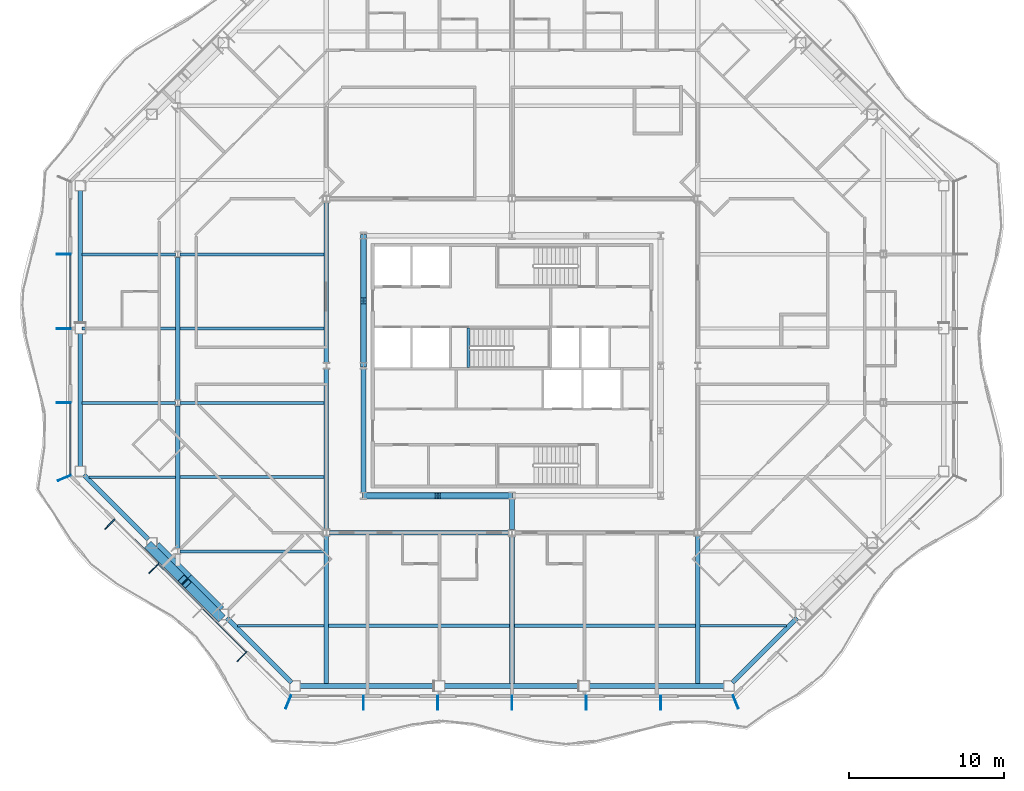
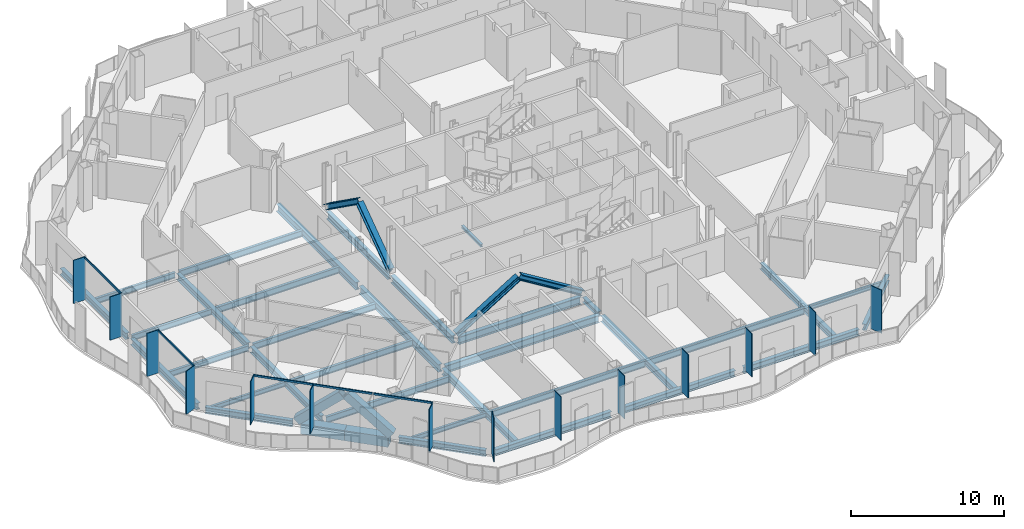
# One storey, part 3 of 21: 36 beams, 25 members, 4 elements without a shape of their own.
"""IFC4 building model written with IfcOpenShell, lengths in metres."""

import ifcopenshell
import ifcopenshell.guid

model = None  # the IFC model being written
_history = None  # IfcOwnerHistory: only IFC2X3 demands one
_inside = {}  # id of a spatial element -> (the spatial element, [elements in it])
_under = {}  # id of a project, library or spatial element -> (it, [spatial elements below it])
_declared = {}  # id of a project -> (the project, [libraries it declares])
_typed = {}  # id of a type object -> (the type object, [elements of that type])
_made_of = {}  # id of a material, layer set ... -> (it, [elements and type objects made of it])


def new_model(schema):
    """Start an empty IFC model of exactly this schema.

    Asked for "IFC4X3", IfcOpenShell would pick the latest addendum, in which some entities
    have other attributes; the version numbers below select the first issue.
    IFC2X3 requires an IfcOwnerHistory on every rooted entity: one is made here for all.
    """
    global model, _history
    if schema == "IFC4X3":
        model = ifcopenshell.file(schema_version=(4, 3, 0, 0))
    else:
        model = ifcopenshell.file(schema=schema)
    _inside.clear()
    _under.clear()
    _declared.clear()
    _typed.clear()
    _made_of.clear()
    _history = None
    if model.schema == "IFC2X3":
        org = make("IfcOrganization", Name="unknown")
        user = make(
            "IfcPersonAndOrganization",
            ThePerson=make("IfcPerson", FamilyName="unknown"),
            TheOrganization=org,
        )
        app = make(
            "IfcApplication",
            ApplicationDeveloper=org,
            Version="unknown",
            ApplicationFullName="unknown",
            ApplicationIdentifier="unknown",
        )
        _history = make(
            "IfcOwnerHistory",
            OwningUser=user,
            OwningApplication=app,
            ChangeAction="ADDED",
            CreationDate=0,
        )
    return model


def make(cls, **values):
    """One entity of the class cls with the attributes given. An attribute that is None is left unset."""
    return model.create_entity(
        cls, **{name: value for name, value in values.items() if value is not None}
    )


def rooted(cls, **values):
    """An entity with a GlobalId (a new one), such as an element, a storey or a relation."""
    return make(cls, GlobalId=ifcopenshell.guid.new(), OwnerHistory=_history, **values)


def si_unit(unit_type, name, prefix=None):
    """IfcSIUnit, for example si_unit("LENGTHUNIT", "METRE", prefix="MILLI")."""
    return make("IfcSIUnit", UnitType=unit_type, Prefix=prefix, Name=name)


def assignment(units):
    """IfcUnitAssignment: the units of a project."""
    return None if units is None else make("IfcUnitAssignment", Units=units)


def point(xyz):
    """IfcCartesianPoint."""
    return None if xyz is None else make("IfcCartesianPoint", Coordinates=xyz)


def direction(xyz):
    """IfcDirection."""
    return None if xyz is None else make("IfcDirection", DirectionRatios=xyz)


def frame(location, z_axis=None, x_axis=None):
    """IfcAxis2Placement3D, a coordinate frame: its origin and axes. An axis left out is left unset."""
    return make(
        "IfcAxis2Placement3D",
        Location=point(location),
        Axis=direction(z_axis),
        RefDirection=direction(x_axis),
    )


def frame_2d(location, x_axis=None):
    """IfcAxis2Placement2D, a coordinate frame in the plane: its origin and x axis."""
    return make(
        "IfcAxis2Placement2D", Location=point(location), RefDirection=direction(x_axis)
    )


def origin():
    """The frame at (0, 0, 0) with its axes left unset."""
    return frame((0.0, 0.0, 0.0))


def origin_2d():
    """The frame at (0, 0) in the plane with its x axis left unset."""
    return frame_2d((0.0, 0.0))


def place(relative_to, where):
    """IfcLocalPlacement: puts the frame where relative to a parent placement (None: the world)."""
    return make(
        "IfcLocalPlacement", PlacementRelTo=relative_to, RelativePlacement=where
    )


def context(
    kind, dimensions, precision=None, world=None, true_north=None, identifier=None
):
    """IfcGeometricRepresentationContext, for example the 3D "Model" context."""
    return make(
        "IfcGeometricRepresentationContext",
        ContextIdentifier=identifier,
        ContextType=kind,
        CoordinateSpaceDimension=dimensions,
        Precision=precision,
        WorldCoordinateSystem=world,
        TrueNorth=true_north,
    )


def subcontext(parent, identifier, kind, view, scale=None):
    """IfcGeometricRepresentationSubContext, for example "Body" below "Model"."""
    return make(
        "IfcGeometricRepresentationSubContext",
        ContextIdentifier=identifier,
        ContextType=kind,
        ParentContext=parent,
        TargetScale=scale,
        TargetView=view,
    )


def project(units=None, contexts=None):
    """IfcProject with its units and contexts."""
    return rooted(
        "IfcProject",
        Name="project",
        RepresentationContexts=contexts,
        UnitsInContext=assignment(units),
    )


def spatial(cls, under=None, at=None, **own):
    """A site, building, storey or space (cls), placed at a placement, below another one or the project."""
    s = rooted(cls, ObjectPlacement=at, **own)
    if under is not None:
        _under.setdefault(under.id(), (under, []))[1].append(s)
    return s


def profile(cls, at=None, kind="AREA", **sizes):
    """A parametric profile (cls). Its sizes go by their IFC names, for example OverallWidth=200.0."""
    return make(cls, ProfileType=kind, Position=at, **sizes)


def rectangle(**sizes):
    """IfcRectangleProfileDef."""
    return profile("IfcRectangleProfileDef", **sizes)


def hollow_rectangle(**sizes):
    """IfcRectangleHollowProfileDef."""
    return profile("IfcRectangleHollowProfileDef", **sizes)


def i_section(**sizes):
    """IfcIShapeProfileDef."""
    return profile("IfcIShapeProfileDef", **sizes)


def extrude(swept, where, along, depth):
    """IfcExtrudedAreaSolid: the profile swept, set in the frame where, extruded along a direction by depth."""
    return make(
        "IfcExtrudedAreaSolid",
        SweptArea=swept,
        Position=where,
        ExtrudedDirection=direction(along),
        Depth=depth,
    )


def shape(context_of_items, identifier, shape_type, items):
    """IfcShapeRepresentation: the items that make up one representation, for example the "Body"."""
    return make(
        "IfcShapeRepresentation",
        ContextOfItems=context_of_items,
        RepresentationIdentifier=identifier,
        RepresentationType=shape_type,
        Items=items,
    )


def material(Name=None, Category=None):
    """IfcMaterial."""
    return make("IfcMaterial", Name=Name, Category=Category)


def material_profile(
    of_material, cross_section, Name=None, Category=None, Priority=None
):
    """IfcMaterialProfile: a cross section and its material."""
    return make(
        "IfcMaterialProfile",
        Name=Name,
        Material=of_material,
        Profile=cross_section,
        Priority=Priority,
        Category=Category,
    )


def profile_set(profiles, Name=None, composite=None):
    """IfcMaterialProfileSet."""
    return make(
        "IfcMaterialProfileSet",
        Name=Name,
        MaterialProfiles=profiles,
        CompositeProfile=composite,
    )


def made_of(thing, what):
    """Note that an element or type object is made of a material, layer set ...; save() writes the relation."""
    if what is not None:
        _made_of.setdefault(what.id(), (what, []))[1].append(thing)
    return thing


def type_object(cls, material=None, **own):
    """A type object (cls), such as IfcWallType, which elements share."""
    return made_of(rooted(cls, **own), material)


def element(
    cls,
    number,
    at=None,
    inside=None,
    cuts=None,
    type_object=None,
    material=None,
    context=None,
    identifier="Body",
    shape_type=None,
    held_by="IfcProductDefinitionShape",
    body=None,
    shapes=None,
    **own,
):
    """One element of the class cls, such as IfcWall. Its Tag is "e" and its number.

    at: its placement. inside: the storey or other place that contains it. cuts: it is an
    opening in that element (IfcRelVoidsElement). A single representation is given by context,
    identifier, shape_type and body (its items); several are given by shapes. held_by: the class
    of the entity that holds the representations. save() writes the other relations.
    """
    e = rooted(cls, Tag="e%d" % number, ObjectPlacement=at, **own)
    if body is not None:
        shapes = [shape(context, identifier, shape_type, body)]
    if shapes is not None:
        e.Representation = make(held_by, Representations=shapes)
    if inside is not None:
        _inside.setdefault(inside.id(), (inside, []))[1].append(e)
    if cuts is not None:
        rooted(
            "IfcRelVoidsElement", RelatingBuildingElement=cuts, RelatedOpeningElement=e
        )
    if type_object is not None:
        _typed.setdefault(type_object.id(), (type_object, []))[1].append(e)
    return made_of(e, material)


def aggregate(whole, parts):
    """IfcRelAggregates: a whole, such as a stair, and the parts it consists of."""
    return rooted("IfcRelAggregates", RelatingObject=whole, RelatedObjects=parts)


def save(model, path):
    """Write the relations noted so far, then the file.

    IfcRelAggregates (storeys below a building ...), IfcRelContainedInSpatialStructure (elements
    in a storey), IfcRelDefinesByType, IfcRelAssociatesMaterial and IfcRelDeclares: one each for
    every whole, place, type object, material and project.
    """
    for whole, parts in _under.values():
        aggregate(whole, parts)
    for where, things in _inside.values():
        rooted(
            "IfcRelContainedInSpatialStructure",
            RelatedElements=things,
            RelatingStructure=where,
        )
    for kind, things in _typed.values():
        rooted("IfcRelDefinesByType", RelatedObjects=things, RelatingType=kind)
    for what, things in _made_of.values():
        rooted("IfcRelAssociatesMaterial", RelatedObjects=things, RelatingMaterial=what)
    for by, libraries in _declared.values():
        rooted("IfcRelDeclares", RelatingContext=by, RelatedDefinitions=libraries)
    model.write(path)


model = new_model("IFC4")

# Units and contexts
model_context = context("Model", 3, precision=1e-05, world=origin(), true_north=direction((0.0, 1.0)))
body_context = subcontext(model_context, "Body", "Model", "MODEL_VIEW")
ifc_project = project(units=[si_unit("LENGTHUNIT", "METRE"), si_unit("AREAUNIT", "SQUARE_METRE"), si_unit("VOLUMEUNIT", "CUBIC_METRE"), si_unit("PLANEANGLEUNIT", "RADIAN"), si_unit("MASSUNIT", "GRAM", prefix="KILO")], contexts=[model_context])

# Site, building, storey
site_placement = place(None, origin())
site = spatial("IfcSite", under=ifc_project, at=site_placement, CompositionType="ELEMENT")
building_placement = place(site_placement, origin())
building = spatial("IfcBuilding", under=site, at=building_placement, Name="Cairn Pilgrim Tower", CompositionType="ELEMENT")
storey_placement = place(building_placement, frame((0.0, 0.0, 136.199951171875)))
storey = spatial("IfcBuildingStorey", under=building, at=storey_placement, Name="L33", CompositionType="ELEMENT", Elevation=136.199951171875)

# Members
ifc_material_1 = material(Name="Structural steel S460M", Category="steel")
ifc_material_profile_1 = material_profile(ifc_material_1, hollow_rectangle(XDim=0.60009765625, YDim=0.60009765625, WallThickness=0.034912109375, at=origin_2d()), Name="BOX 600x600x35")
ifc_profile_set_1 = profile_set([ifc_material_profile_1], Name="Structural steel S460M")
member_type_1 = type_object("IfcMemberType", Name="BOX 600x600x35 BRACE", PredefinedType="BRACE", material=ifc_profile_set_1)
member_1_placement = place(storey_placement, frame((-16.213623046875, -9.288330078125, 0.150146484375), z_axis=(0.53557713953, -0.53557713953, 0.652927450201), x_axis=(0.707106781187, 0.707106781187, 0.0)))
element("IfcMember", 1, at=member_1_placement, inside=storey, type_object=member_type_1, Name="XB-SW2-SW3-1", PredefinedType="BRACE", context=body_context, shape_type="SweptSolid", body=[
    extrude(hollow_rectangle(XDim=0.60009765625, YDim=0.60009765625, WallThickness=0.034912109375, at=origin_2d()), origin(), (0.0, 0.0, 1.0), 4.0361328125),
])
member_2_placement = place(storey_placement, frame((-11.6884765625, -13.813720703125, 0.150146484375), z_axis=(-0.535533998665, 0.535594490476, 0.652948602913), x_axis=(-0.707146713802, -0.707066846316, 0.0)))
element("IfcMember", 2, at=member_2_placement, inside=storey, type_object=member_type_1, Name="XB-SW2-SW3-2", PredefinedType="BRACE", context=body_context, shape_type="SweptSolid", body=[
    extrude(hollow_rectangle(XDim=0.60009765625, YDim=0.60009765625, WallThickness=0.034912109375, at=origin_2d()), origin(), (0.0, 0.0, 1.0), 4.035888671875),
])

# Beams
ifc_material_2 = material(Name="Structural steel S355J2", Category="steel")
ifc_material_profile_2 = material_profile(ifc_material_2, hollow_rectangle(XDim=0.699951171875, YDim=0.800048828125, WallThickness=0.0400390625, at=origin_2d()), Name="BOX 700x800x40")
ifc_profile_set_2 = profile_set([ifc_material_profile_2], Name="Structural steel S355J2")
beam_type_1 = type_object("IfcBeamType", Name="BOX 700x800x40 RING GIRDER", PredefinedType="SPANDREL", material=ifc_profile_set_2)
for number, where, z_axis, x_axis, name in (
    (3, (-15.85302734375, -9.274169921875, -0.550048828125), (0.707106781187, -0.707106781187, 0.0), (0.707106781187, 0.707106781187, 0.0), "RG2-SW2-SW3-1"),
    (4, (-13.763671875, -11.363525390625, -0.550048828125), (0.707106781187, -0.707106781187, 0.0), (0.707106781187, 0.707106781187, 0.0), "RG2-SW2-SW3-2"),
):
    element("IfcBeam", number, at=place(storey_placement, frame(where, z_axis=z_axis, x_axis=x_axis)), inside=storey, type_object=beam_type_1, Name=name, PredefinedType="SPANDREL", context=body_context, shape_type="SweptSolid", body=[
        extrude(hollow_rectangle(XDim=0.699951171875, YDim=0.800048828125, WallThickness=0.0400390625, at=origin_2d()), origin(), (0.0, 0.0, 1.0), 2.954833984375),
    ])

# Curtain wall, members
ifc_material_3 = material(Name="Aluminium alloy 6063-T6 bronze anodised with Bronze tinted laminated low-E glass 8+16+8.8", Category="aluminium")
curtain_wall_type_1 = type_object("IfcCurtainWallType", Name="TOWER STICK CURTAIN WALL NS", PredefinedType="NOTDEFINED", material=ifc_material_3)
curtain_wall_1_placement = place(storey_placement, origin())
curtain_wall_1 = element("IfcCurtainWall", 5, at=curtain_wall_1_placement, inside=storey, type_object=curtain_wall_type_1, Name="Tower Stick Curtain Wall Ns S", PredefinedType="NOTDEFINED")
ifc_material_4 = material(Name="Aluminium alloy 6063-T6 bronze anodised", Category="aluminium")
ifc_material_profile_3 = material_profile(ifc_material_4, rectangle(XDim=0.89990234375, YDim=0.06005859375, at=origin_2d()), Name="FIN MULLION 60x900 BRONZE")
ifc_profile_set_3 = profile_set([ifc_material_profile_3], Name="Aluminium alloy 6063-T6 bronze anodised")
member_type_2 = type_object("IfcMemberType", Name="FIN MULLION 60x900 BRONZE", PredefinedType="MULLION", material=ifc_profile_set_3)
member_3_placement = place(storey_placement, frame((-7.257080078125, -19.338134765625, 0.0), z_axis=(0.0, 0.0, 1.0), x_axis=(-0.382683432365, -0.923879532511, 0.0)))
member_3 = element("IfcMember", 6, at=member_3_placement, type_object=member_type_2, Name="Fin mullion S1", PredefinedType="MULLION", context=body_context, shape_type="SweptSolid", body=[
    extrude(rectangle(XDim=0.89990234375, YDim=0.06005859375, at=origin_2d()), origin(), (0.0, 0.0, 1.0), 3.449951171875),
])
member_4_placement = place(storey_placement, frame((-2.39990234375, -19.3701171875, 0.0), z_axis=(0.0, 0.0, 1.0), x_axis=(0.0, -1.0, 0.0)))
member_4 = element("IfcMember", 7, at=member_4_placement, type_object=member_type_2, Name="Fin mullion S2", PredefinedType="MULLION", context=body_context, shape_type="SweptSolid", body=[
    extrude(rectangle(XDim=0.89990234375, YDim=0.06005859375, at=origin_2d()), origin(), (0.0, 0.0, 1.0), 3.449951171875),
])
member_5_placement = place(storey_placement, frame((2.39990234375, -19.3701171875, 0.0), z_axis=(0.0, 0.0, 1.0), x_axis=(0.0, -1.0, 0.0)))
member_5 = element("IfcMember", 8, at=member_5_placement, type_object=member_type_2, Name="Fin mullion S3", PredefinedType="MULLION", context=body_context, shape_type="SweptSolid", body=[
    extrude(rectangle(XDim=0.89990234375, YDim=0.06005859375, at=origin_2d()), origin(), (0.0, 0.0, 1.0), 3.449951171875),
])
member_6_placement = place(storey_placement, frame((7.199951171875, -19.3701171875, 0.0), z_axis=(0.0, 0.0, 1.0), x_axis=(0.0, -1.0, 0.0)))
member_6 = element("IfcMember", 9, at=member_6_placement, type_object=member_type_2, Name="Fin mullion S4", PredefinedType="MULLION", context=body_context, shape_type="SweptSolid", body=[
    extrude(rectangle(XDim=0.89990234375, YDim=0.06005859375, at=origin_2d()), origin(), (0.0, 0.0, 1.0), 3.449951171875),
])
member_7_placement = place(storey_placement, frame((12.0, -19.3701171875, 0.0), z_axis=(0.0, 0.0, 1.0), x_axis=(0.0, -1.0, 0.0)))
member_7 = element("IfcMember", 10, at=member_7_placement, type_object=member_type_2, Name="Fin mullion S5", PredefinedType="MULLION", context=body_context, shape_type="SweptSolid", body=[
    extrude(rectangle(XDim=0.89990234375, YDim=0.06005859375, at=origin_2d()), origin(), (0.0, 0.0, 1.0), 3.449951171875),
])
member_8_placement = place(storey_placement, frame((16.800048828125, -19.3701171875, 0.0), z_axis=(0.0, 0.0, 1.0), x_axis=(0.0, -1.0, 0.0)))
member_8 = element("IfcMember", 11, at=member_8_placement, type_object=member_type_2, Name="Fin mullion S6", PredefinedType="MULLION", context=body_context, shape_type="SweptSolid", body=[
    extrude(rectangle(XDim=0.89990234375, YDim=0.06005859375, at=origin_2d()), origin(), (0.0, 0.0, 1.0), 3.449951171875),
])
aggregate(curtain_wall_1, [member_3, member_4, member_5, member_6, member_7, member_8])

# Curtain wall, member
curtain_wall_type_2 = type_object("IfcCurtainWallType", Name="CHAMFER CORNER CURTAIN WALL", PredefinedType="NOTDEFINED", material=ifc_material_3)
curtain_wall_2_placement = place(storey_placement, origin())
curtain_wall_2 = element("IfcCurtainWall", 12, at=curtain_wall_2_placement, inside=storey, type_object=curtain_wall_type_2, Name="Chamfer Corner Curtain Wall SE", PredefinedType="NOTDEFINED")
member_9_placement = place(storey_placement, frame((21.6572265625, -19.338134765625, 0.0), z_axis=(0.0, 0.0, 1.0), x_axis=(0.382683432365, -0.923879532511, 0.0)))
member_9 = element("IfcMember", 13, at=member_9_placement, type_object=member_type_2, Name="Fin mullion SE1", PredefinedType="MULLION", context=body_context, shape_type="SweptSolid", body=[
    extrude(rectangle(XDim=0.89990234375, YDim=0.06005859375, at=origin_2d()), origin(), (0.0, 0.0, 1.0), 3.449951171875),
])
aggregate(curtain_wall_2, [member_9])

# Curtain wall, members
curtain_wall_type_3 = type_object("IfcCurtainWallType", Name="TOWER STICK CURTAIN WALL EW", PredefinedType="NOTDEFINED", material=ifc_material_3)
curtain_wall_3_placement = place(storey_placement, origin())
curtain_wall_3 = element("IfcCurtainWall", 14, at=curtain_wall_3_placement, inside=storey, type_object=curtain_wall_type_3, Name="Tower Stick Curtain Wall Ew W", PredefinedType="NOTDEFINED")
member_10_placement = place(storey_placement, frame((-21.77001953125, 9.60009765625, 0.0), z_axis=(0.0, 0.0, 1.0), x_axis=(-1.0, 0.0, 0.0)))
member_10 = element("IfcMember", 15, at=member_10_placement, type_object=member_type_2, Name="Fin mullion W2", PredefinedType="MULLION", context=body_context, shape_type="SweptSolid", body=[
    extrude(rectangle(XDim=0.89990234375, YDim=0.06005859375, at=origin_2d()), origin(), (0.0, 0.0, 1.0), 3.449951171875),
])
member_11_placement = place(storey_placement, frame((-21.77001953125, 4.800048828125, 0.0), z_axis=(0.0, 0.0, 1.0), x_axis=(-1.0, 0.0, 0.0)))
member_11 = element("IfcMember", 16, at=member_11_placement, type_object=member_type_2, Name="Fin mullion W3", PredefinedType="MULLION", context=body_context, shape_type="SweptSolid", body=[
    extrude(rectangle(XDim=0.89990234375, YDim=0.06005859375, at=origin_2d()), origin(), (0.0, 0.0, 1.0), 3.449951171875),
])
member_12_placement = place(storey_placement, frame((-21.77001953125, 0.0, 0.0), z_axis=(0.0, 0.0, 1.0), x_axis=(-1.0, 0.0, 0.0)))
member_12 = element("IfcMember", 17, at=member_12_placement, type_object=member_type_2, Name="Fin mullion W4", PredefinedType="MULLION", context=body_context, shape_type="SweptSolid", body=[
    extrude(rectangle(XDim=0.89990234375, YDim=0.06005859375, at=origin_2d()), origin(), (0.0, 0.0, 1.0), 3.449951171875),
])

curtain_wall_4_placement = place(storey_placement, origin())
curtain_wall_4 = element("IfcCurtainWall", 18, at=curtain_wall_4_placement, inside=storey, type_object=curtain_wall_type_2, Name="Chamfer Corner Curtain Wall SW", PredefinedType="NOTDEFINED")
member_13_placement = place(storey_placement, frame((-21.738037109375, -4.857177734375, 0.0), z_axis=(0.0, 0.0, 1.0), x_axis=(-0.923879532511, -0.382683432365, 0.0)))
member_13 = element("IfcMember", 19, at=member_13_placement, type_object=member_type_2, Name="Fin mullion SW1", PredefinedType="MULLION", context=body_context, shape_type="SweptSolid", body=[
    extrude(rectangle(XDim=0.89990234375, YDim=0.06005859375, at=origin_2d()), origin(), (0.0, 0.0, 1.0), 3.449951171875),
])
member_14_placement = place(storey_placement, frame((-18.79638671875, -7.84423828125, 0.0), z_axis=(0.0, 0.0, 1.0), x_axis=(-0.707106781187, -0.707106781187, 0.0)))
member_14 = element("IfcMember", 20, at=member_14_placement, type_object=member_type_2, Name="Fin mullion SW2", PredefinedType="MULLION", context=body_context, shape_type="SweptSolid", body=[
    extrude(rectangle(XDim=0.89990234375, YDim=0.06005859375, at=origin_2d()), origin(), (0.0, 0.0, 1.0), 3.449951171875),
])
member_15_placement = place(storey_placement, frame((-15.945556640625, -10.69482421875, 0.0), z_axis=(0.0, 0.0, 1.0), x_axis=(-0.707106781187, -0.707106781187, 0.0)))
member_15 = element("IfcMember", 21, at=member_15_placement, type_object=member_type_2, Name="Fin mullion SW3", PredefinedType="MULLION", context=body_context, shape_type="SweptSolid", body=[
    extrude(rectangle(XDim=0.89990234375, YDim=0.06005859375, at=origin_2d()), origin(), (0.0, 0.0, 1.0), 3.449951171875),
])
member_16_placement = place(storey_placement, frame((-10.244140625, -16.396240234375, 0.0), z_axis=(0.0, 0.0, 1.0), x_axis=(-0.707106781187, -0.707106781187, 0.0)))
member_16 = element("IfcMember", 22, at=member_16_placement, type_object=member_type_2, Name="Fin mullion SW5", PredefinedType="MULLION", context=body_context, shape_type="SweptSolid", body=[
    extrude(rectangle(XDim=0.89990234375, YDim=0.06005859375, at=origin_2d()), origin(), (0.0, 0.0, 1.0), 3.449951171875),
])

# Members
ifc_material_profile_4 = material_profile(ifc_material_1, i_section(OverallWidth=0.408935546875, OverallDepth=0.425048828125, WebThickness=0.03271484375, FlangeThickness=0.052490234375, FilletRadius=0.014892578125, at=origin_2d()), Name="HD 400x421")
ifc_profile_set_4 = profile_set([ifc_material_profile_4], Name="Structural steel S460M")
member_type_3 = type_object("IfcMemberType", Name="HD 400x421 BRACE", PredefinedType="BRACE", material=ifc_profile_set_4)
member_17_placement = place(storey_placement, frame((-2.357666015625, -6.0, 0.10009765625), z_axis=(0.851063308605, 0.0, 0.525063086444), x_axis=(0.0, 1.0, 0.0)))
element("IfcMember", 23, at=member_17_placement, inside=storey, type_object=member_type_3, Name="KB-1A", PredefinedType="BRACE", context=body_context, shape_type="SweptSolid", body=[
    extrude(i_section(OverallWidth=0.408935546875, OverallDepth=0.425048828125, WebThickness=0.03271484375, FlangeThickness=0.052490234375, FilletRadius=0.014892578125, at=origin_2d()), origin(), (0.0, 0.0, 1.0), 5.527587890625),
])
member_18_placement = place(storey_placement, frame((7.15771484375, -6.0, 0.10009765625), z_axis=(-0.851075484508, 0.0, 0.525043350277), x_axis=(0.0, -1.0, 0.0)))
element("IfcMember", 24, at=member_18_placement, inside=storey, type_object=member_type_3, Name="KB-1B", PredefinedType="BRACE", context=body_context, shape_type="SweptSolid", body=[
    extrude(i_section(OverallWidth=0.408935546875, OverallDepth=0.425048828125, WebThickness=0.03271484375, FlangeThickness=0.052490234375, FilletRadius=0.014892578125, at=origin_2d()), origin(), (0.0, 0.0, 1.0), 5.52783203125),
])
for number, where, z_axis, x_axis, name in (
    (25, (-2.39990234375, 10.757568359375, 0.10009765625), (0.0, -0.814281054922, 0.58047081201), (1.0, 0.0, 0.0), "KB-4A"),
    (26, (-2.39990234375, 2.4423828125, 0.10009765625), (0.0, 0.814281054922, 0.58047081201), (-1.0, 0.0, 0.0), "KB-4B"),
):
    element("IfcMember", number, at=place(storey_placement, frame(where, z_axis=z_axis, x_axis=x_axis)), inside=storey, type_object=member_type_3, Name=name, PredefinedType="BRACE", context=body_context, shape_type="SweptSolid", body=[
        extrude(i_section(OverallWidth=0.408935546875, OverallDepth=0.425048828125, WebThickness=0.03271484375, FlangeThickness=0.052490234375, FilletRadius=0.014892578125, at=origin_2d()), origin(), (0.0, 0.0, 1.0), 4.99755859375),
    ])

# Beams
ifc_material_profile_5 = material_profile(ifc_material_2, i_section(OverallWidth=0.300048828125, OverallDepth=0.39990234375, WebThickness=0.013427734375, FlangeThickness=0.02392578125, FilletRadius=0.027099609375, at=origin_2d()), Name="HEB 400")
ifc_profile_set_5 = profile_set([ifc_material_profile_5], Name="Structural steel S355J2")
beam_type_2 = type_object("IfcBeamType", Name="HEB 400 GIRDER", PredefinedType="BEAM", material=ifc_profile_set_5)
beam_1_placement = place(storey_placement, frame((7.199951171875, -8.195556640625, -0.349853515625), z_axis=(0.0, 1.0, 0.0), x_axis=(-1.0, 0.0, 0.0)))
element("IfcBeam", 27, at=beam_1_placement, inside=storey, type_object=beam_type_2, Name="PG3-E1", PredefinedType="BEAM", context=body_context, shape_type="SweptSolid", body=[
    extrude(i_section(OverallWidth=0.300048828125, OverallDepth=0.39990234375, WebThickness=0.013427734375, FlangeThickness=0.02392578125, FilletRadius=0.027099609375, at=origin_2d()), origin(), (0.0, 0.0, 1.0), 1.983642578125),
])
ifc_material_profile_6 = material_profile(ifc_material_2, i_section(OverallWidth=0.300048828125, OverallDepth=0.5, WebThickness=0.014404296875, FlangeThickness=0.028076171875, FilletRadius=0.027099609375, at=origin_2d()), Name="HEB 500")
ifc_profile_set_6 = profile_set([ifc_material_profile_6], Name="Structural steel S355J2")
beam_type_3 = type_object("IfcBeamType", Name="HEB 500 GIRDER", PredefinedType="BEAM", material=ifc_profile_set_6)
for number, where, z_axis, x_axis, name in (
    (28, (-14.39990234375, -9.400390625, -0.39990234375), (0.0, 1.0, 0.0), (-1.0, 0.0, 0.0), "PG1-1"),
    (29, (-14.39990234375, 0.199462890625, -0.39990234375), (0.0, 1.0, 0.0), (-1.0, 0.0, 0.0), "PG1-2"),
):
    element("IfcBeam", number, at=place(storey_placement, frame(where, z_axis=z_axis, x_axis=x_axis)), inside=storey, type_object=beam_type_3, Name=name, PredefinedType="BEAM", context=body_context, shape_type="SweptSolid", body=[
        extrude(i_section(OverallWidth=0.300048828125, OverallDepth=0.5, WebThickness=0.014404296875, FlangeThickness=0.028076171875, FilletRadius=0.027099609375, at=origin_2d()), origin(), (0.0, 0.0, 1.0), 9.200927734375),
    ])
for number, where, z_axis, x_axis, name in (
    (30, (-4.800048828125, -18.179931640625, -0.39990234375), (0.0, 1.0, 0.0), (-1.0, 0.0, 0.0), "PG2-1"),
    (31, (7.199951171875, -18.179931640625, -0.39990234375), (0.0, 1.0, 0.0), (-1.0, 0.0, 0.0), "PG3-1"),
    (32, (19.199951171875, -18.179931640625, -0.39990234375), (0.0, 1.0, 0.0), (-1.0, 0.0, 0.0), "PG4-1"),
):
    element("IfcBeam", number, at=place(storey_placement, frame(where, z_axis=z_axis, x_axis=x_axis)), inside=storey, type_object=beam_type_3, Name=name, PredefinedType="BEAM", context=body_context, shape_type="SweptSolid", body=[
        extrude(i_section(OverallWidth=0.300048828125, OverallDepth=0.5, WebThickness=0.014404296875, FlangeThickness=0.028076171875, FilletRadius=0.027099609375, at=origin_2d()), origin(), (0.0, 0.0, 1.0), 9.575439453125),
    ])
ifc_material_profile_7 = material_profile(ifc_material_2, i_section(OverallWidth=0.300048828125, OverallDepth=0.5, WebThickness=0.014404296875, FlangeThickness=0.028076171875, FilletRadius=0.027099609375, at=origin_2d()), Name="HEB 500")
ifc_profile_set_7 = profile_set([ifc_material_profile_7], Name="Structural steel S355J2")
beam_type_4 = type_object("IfcBeamType", Name="HEB 500 RING GIRDER", PredefinedType="SPANDREL", material=ifc_profile_set_7)
for number, where, z_axis, x_axis, name in (
    (33, (-6.51220703125, -18.300048828125, -0.39990234375), (1.0, 0.0, 0.0), (0.0, 1.0, 0.0), "RG2-S1-S2"),
    (34, (2.83935546875, -18.300048828125, -0.39990234375), (1.0, 0.0, 0.0), (0.0, 1.0, 0.0), "RG2-S2-S3"),
    (35, (12.190673828125, -18.300048828125, -0.39990234375), (1.0, 0.0, 0.0), (0.0, 1.0, 0.0), "RG2-S3-SE1"),
):
    element("IfcBeam", number, at=place(storey_placement, frame(where, z_axis=z_axis, x_axis=x_axis)), inside=storey, type_object=beam_type_4, Name=name, PredefinedType="SPANDREL", context=body_context, shape_type="SweptSolid", body=[
        extrude(i_section(OverallWidth=0.300048828125, OverallDepth=0.5, WebThickness=0.014404296875, FlangeThickness=0.028076171875, FilletRadius=0.027099609375, at=origin_2d()), origin(), (0.0, 0.0, 1.0), 8.721435546875),
    ])
beam_2_placement = place(storey_placement, frame((21.449951171875, -18.077392578125, -0.39990234375), z_axis=(0.707086125179, 0.707127436591, 0.0), x_axis=(-0.707127436591, 0.707086125179, 0.0)))
element("IfcBeam", 36, at=beam_2_placement, inside=storey, type_object=beam_type_4, Name="RG2-SE1-SE2", PredefinedType="SPANDREL", context=body_context, shape_type="SweptSolid", body=[
    extrude(i_section(OverallWidth=0.300048828125, OverallDepth=0.5, WebThickness=0.014404296875, FlangeThickness=0.028076171875, FilletRadius=0.027099609375, at=origin_2d()), origin(), (0.0, 0.0, 1.0), 5.90966796875),
])
beam_3_placement = place(storey_placement, frame((-20.699951171875, 13.712158203125, -0.39990234375), z_axis=(0.0, -1.0, 0.0), x_axis=(1.0, 0.0, 0.0)))
element("IfcBeam", 37, at=beam_3_placement, inside=storey, type_object=beam_type_4, Name="RG2-W1-W2", PredefinedType="SPANDREL", context=body_context, shape_type="SweptSolid", body=[
    extrude(i_section(OverallWidth=0.300048828125, OverallDepth=0.5, WebThickness=0.014404296875, FlangeThickness=0.028076171875, FilletRadius=0.027099609375, at=origin_2d()), origin(), (0.0, 0.0, 1.0), 8.59716796875),
])
beam_4_placement = place(storey_placement, frame((-20.699951171875, 4.485107421875, -0.39990234375), z_axis=(0.0, -1.0, 0.0), x_axis=(1.0, 0.0, 0.0)))
element("IfcBeam", 38, at=beam_4_placement, inside=storey, type_object=beam_type_4, Name="RG2-W2-SW1", PredefinedType="SPANDREL", context=body_context, shape_type="SweptSolid", body=[
    extrude(i_section(OverallWidth=0.300048828125, OverallDepth=0.5, WebThickness=0.014404296875, FlangeThickness=0.028076171875, FilletRadius=0.027099609375, at=origin_2d()), origin(), (0.0, 0.0, 1.0), 8.597412109375),
])
beam_5_placement = place(storey_placement, frame((-20.477294921875, -4.64990234375, -0.39990234375), z_axis=(0.707106781187, -0.707106781187, 0.0), x_axis=(0.707106781187, 0.707106781187, 0.0)))
element("IfcBeam", 39, at=beam_5_placement, inside=storey, type_object=beam_type_4, Name="RG2-SW1-SW2", PredefinedType="SPANDREL", context=body_context, shape_type="SweptSolid", body=[
    extrude(i_section(OverallWidth=0.300048828125, OverallDepth=0.5, WebThickness=0.014404296875, FlangeThickness=0.028076171875, FilletRadius=0.027099609375, at=origin_2d()), origin(), (0.0, 0.0, 1.0), 5.90966796875),
])
beam_6_placement = place(storey_placement, frame((-11.228759765625, -13.8984375, -0.39990234375), z_axis=(0.707106781187, -0.707106781187, 0.0), x_axis=(0.707106781187, 0.707106781187, 0.0)))
element("IfcBeam", 40, at=beam_6_placement, inside=storey, type_object=beam_type_4, Name="RG2-SW3-S1", PredefinedType="SPANDREL", context=body_context, shape_type="SweptSolid", body=[
    extrude(i_section(OverallWidth=0.300048828125, OverallDepth=0.5, WebThickness=0.014404296875, FlangeThickness=0.028076171875, FilletRadius=0.027099609375, at=origin_2d()), origin(), (0.0, 0.0, 1.0), 5.909912109375),
])
ifc_material_profile_8 = material_profile(ifc_material_2, i_section(OverallWidth=0.300048828125, OverallDepth=0.60009765625, WebThickness=0.015380859375, FlangeThickness=0.030029296875, FilletRadius=0.027099609375, at=origin_2d()), Name="HEB 600")
ifc_profile_set_8 = profile_set([ifc_material_profile_8], Name="Structural steel S355J2")
beam_type_5 = type_object("IfcBeamType", Name="HEB 600 CORE BEAM", PredefinedType="BEAM", material=ifc_profile_set_8)
beam_7_placement = place(storey_placement, frame((-2.209228515625, -6.0, -0.449951171875), z_axis=(1.0, 0.0, 0.0), x_axis=(0.0, 1.0, 0.0)))
element("IfcBeam", 41, at=beam_7_placement, inside=storey, type_object=beam_type_5, Name="CB-1", PredefinedType="BEAM", context=body_context, shape_type="SweptSolid", body=[
    extrude(i_section(OverallWidth=0.300048828125, OverallDepth=0.60009765625, WebThickness=0.015380859375, FlangeThickness=0.030029296875, FilletRadius=0.027099609375, at=origin_2d()), origin(), (0.0, 0.0, 1.0), 9.218505859375),
])
for number, where, z_axis, x_axis, name in (
    (42, (-2.39990234375, 10.609130859375, -0.449951171875), (0.0, -1.0, 0.0), (1.0, 0.0, 0.0), "CB-7"),
    (43, (-2.39990234375, 2.209228515625, -0.449951171875), (0.0, -1.0, 0.0), (1.0, 0.0, 0.0), "CB-8"),
):
    element("IfcBeam", number, at=place(storey_placement, frame(where, z_axis=z_axis, x_axis=x_axis)), inside=storey, type_object=beam_type_5, Name=name, PredefinedType="BEAM", context=body_context, shape_type="SweptSolid", body=[
        extrude(i_section(OverallWidth=0.300048828125, OverallDepth=0.60009765625, WebThickness=0.015380859375, FlangeThickness=0.030029296875, FilletRadius=0.027099609375, at=origin_2d()), origin(), (0.0, 0.0, 1.0), 8.018310546875),
    ])
ifc_material_profile_9 = material_profile(ifc_material_2, i_section(OverallWidth=0.300048828125, OverallDepth=0.60009765625, WebThickness=0.015380859375, FlangeThickness=0.030029296875, FilletRadius=0.027099609375, at=origin_2d()), Name="HEB 600")
ifc_profile_set_9 = profile_set([ifc_material_profile_9], Name="Structural steel S355J2")
beam_type_6 = type_object("IfcBeamType", Name="HEB 600 GIRDER", PredefinedType="BEAM", material=ifc_profile_set_9)
for number, where, z_axis, x_axis, name in (
    (44, (-4.800048828125, -8.195556640625, -0.449951171875), (0.0, 1.0, 0.0), (-1.0, 0.0, 0.0), "PG2-2"),
    (45, (-4.800048828125, 2.6044921875, -0.449951171875), (0.0, 1.0, 0.0), (-1.0, 0.0, 0.0), "PG2-3"),
):
    element("IfcBeam", number, at=place(storey_placement, frame(where, z_axis=z_axis, x_axis=x_axis)), inside=storey, type_object=beam_type_6, Name=name, PredefinedType="BEAM", context=body_context, shape_type="SweptSolid", body=[
        extrude(i_section(OverallWidth=0.300048828125, OverallDepth=0.60009765625, WebThickness=0.015380859375, FlangeThickness=0.030029296875, FilletRadius=0.027099609375, at=origin_2d()), origin(), (0.0, 0.0, 1.0), 10.39111328125),
    ])
ifc_material_profile_10 = material_profile(ifc_material_2, i_section(OverallWidth=0.300048828125, OverallDepth=0.60009765625, WebThickness=0.015380859375, FlangeThickness=0.030029296875, FilletRadius=0.027099609375, at=origin_2d()), Name="HEB 600")
ifc_profile_set_10 = profile_set([ifc_material_profile_10], Name="Structural steel S355J2")
beam_type_7 = type_object("IfcBeamType", Name="HEB 600 INNER GIRDER", PredefinedType="BEAM", material=ifc_profile_set_10)
beam_8_placement = place(storey_placement, frame((-4.595458984375, -8.39990234375, -0.449951171875), z_axis=(1.0, 0.0, 0.0), x_axis=(0.0, 1.0, 0.0)))
element("IfcBeam", 46, at=beam_8_placement, inside=storey, type_object=beam_type_7, Name="IG1-1", PredefinedType="BEAM", context=body_context, shape_type="SweptSolid", body=[
    extrude(i_section(OverallWidth=0.300048828125, OverallDepth=0.60009765625, WebThickness=0.015380859375, FlangeThickness=0.030029296875, FilletRadius=0.027099609375, at=origin_2d()), origin(), (0.0, 0.0, 1.0), 11.591064453125),
])
ifc_material_profile_11 = material_profile(ifc_material_2, i_section(OverallWidth=0.169921875, OverallDepth=0.360107421875, WebThickness=0.008056640625, FlangeThickness=0.0126953125, FilletRadius=0.01806640625, at=origin_2d()), Name="IPE 360")
ifc_profile_set_11 = profile_set([ifc_material_profile_11], Name="Structural steel S355J2")
beam_type_8 = type_object("IfcBeamType", Name="IPE 360 SECONDARY BEAM", PredefinedType="JOIST", material=ifc_profile_set_11)
beam_9_placement = place(storey_placement, frame((-10.545166015625, -14.39990234375, -0.329833984375), z_axis=(1.0, 0.0, 0.0), x_axis=(0.0, 1.0, 0.0)))
element("IfcBeam", 47, at=beam_9_placement, inside=storey, type_object=beam_type_8, Name="SB1-1", PredefinedType="JOIST", context=body_context, shape_type="SweptSolid", body=[
    extrude(i_section(OverallWidth=0.169921875, OverallDepth=0.360107421875, WebThickness=0.008056640625, FlangeThickness=0.0126953125, FilletRadius=0.01806640625, at=origin_2d()), origin(), (0.0, 0.0, 1.0), 5.59521484375),
])
for number, where, z_axis, x_axis, name in (
    (48, (19.35009765625, -14.39990234375, -0.329833984375), (1.0, 0.0, 0.0), (0.0, 1.0, 0.0), "SB1-4"),
    (49, (-20.14501953125, -4.800048828125, -0.329833984375), (1.0, 0.0, 0.0), (0.0, 1.0, 0.0), "SB3-1"),
):
    element("IfcBeam", number, at=place(storey_placement, frame(where, z_axis=z_axis, x_axis=x_axis)), inside=storey, type_object=beam_type_8, Name=name, PredefinedType="JOIST", context=body_context, shape_type="SweptSolid", body=[
        extrude(i_section(OverallWidth=0.169921875, OverallDepth=0.360107421875, WebThickness=0.008056640625, FlangeThickness=0.0126953125, FilletRadius=0.01806640625, at=origin_2d()), origin(), (0.0, 0.0, 1.0), 5.594970703125),
    ])
ifc_material_profile_12 = material_profile(ifc_material_2, i_section(OverallWidth=0.18994140625, OverallDepth=0.449951171875, WebThickness=0.009521484375, FlangeThickness=0.0146484375, FilletRadius=0.02099609375, at=origin_2d()), Name="IPE 450")
ifc_profile_set_12 = profile_set([ifc_material_profile_12], Name="Structural steel S355J2")
beam_type_9 = type_object("IfcBeamType", Name="IPE 450 SECONDARY BEAM", PredefinedType="JOIST", material=ifc_profile_set_12)
for number, where, z_axis, x_axis, name in (
    (50, (-20.580078125, 0.0, -0.375), (1.0, 0.0, 0.0), (0.0, 1.0, 0.0), "SB4-1"),
    (51, (-20.580078125, 4.800048828125, -0.375), (1.0, 0.0, 0.0), (0.0, 1.0, 0.0), "SB5-1"),
    (52, (-20.580078125, 9.60009765625, -0.375), (1.0, 0.0, 0.0), (0.0, 1.0, 0.0), "SB6-1"),
):
    element("IfcBeam", number, at=place(storey_placement, frame(where, z_axis=z_axis, x_axis=x_axis)), inside=storey, type_object=beam_type_9, Name=name, PredefinedType="JOIST", context=body_context, shape_type="SweptSolid", body=[
        extrude(i_section(OverallWidth=0.18994140625, OverallDepth=0.449951171875, WebThickness=0.009521484375, FlangeThickness=0.0146484375, FilletRadius=0.02099609375, at=origin_2d()), origin(), (0.0, 0.0, 1.0), 6.030029296875),
    ])
ifc_material_profile_13 = material_profile(ifc_material_2, i_section(OverallWidth=0.199951171875, OverallDepth=0.5, WebThickness=0.01025390625, FlangeThickness=0.01611328125, FilletRadius=0.02099609375, at=origin_2d()), Name="IPE 500")
ifc_profile_set_13 = profile_set([ifc_material_profile_13], Name="Structural steel S355J2")
beam_type_10 = type_object("IfcBeamType", Name="IPE 500 SECONDARY BEAM", PredefinedType="JOIST", material=ifc_profile_set_13)
for number, where, z_axis, x_axis, name in (
    (53, (-14.25, -9.60009765625, -0.39990234375), (1.0, 0.0, 0.0), (0.0, 1.0, 0.0), "SB2-1"),
    (54, (-14.25, -4.800048828125, -0.39990234375), (1.0, 0.0, 0.0), (0.0, 1.0, 0.0), "SB3-2"),
    (55, (-14.25, 0.0, -0.39990234375), (1.0, 0.0, 0.0), (0.0, 1.0, 0.0), "SB4-2"),
    (56, (-14.25, 4.800048828125, -0.39990234375), (1.0, 0.0, 0.0), (0.0, 1.0, 0.0), "SB5-2"),
    (57, (-14.25, 9.60009765625, -0.39990234375), (1.0, 0.0, 0.0), (0.0, 1.0, 0.0), "SB6-2"),
):
    element("IfcBeam", number, at=place(storey_placement, frame(where, z_axis=z_axis, x_axis=x_axis)), inside=storey, type_object=beam_type_10, Name=name, PredefinedType="JOIST", context=body_context, shape_type="SweptSolid", body=[
        extrude(i_section(OverallWidth=0.199951171875, OverallDepth=0.5, WebThickness=0.01025390625, FlangeThickness=0.01611328125, FilletRadius=0.02099609375, at=origin_2d()), origin(), (0.0, 0.0, 1.0), 9.300048828125),
    ])
ifc_material_profile_14 = material_profile(ifc_material_2, i_section(OverallWidth=0.2099609375, OverallDepth=0.550048828125, WebThickness=0.010986328125, FlangeThickness=0.01708984375, FilletRadius=0.02392578125, at=origin_2d()), Name="IPE 550")
ifc_profile_set_14 = profile_set([ifc_material_profile_14], Name="Structural steel S355J2")
beam_type_11 = type_object("IfcBeamType", Name="IPE 550 SECONDARY BEAM", PredefinedType="JOIST", material=ifc_profile_set_14)
for number, where, z_axis, x_axis, name in (
    (58, (-4.64990234375, -14.39990234375, -0.425048828125), (1.0, 0.0, 0.0), (0.0, 1.0, 0.0), "SB1-2"),
    (59, (7.35009765625, -14.39990234375, -0.425048828125), (1.0, 0.0, 0.0), (0.0, 1.0, 0.0), "SB1-3"),
):
    element("IfcBeam", number, at=place(storey_placement, frame(where, z_axis=z_axis, x_axis=x_axis)), inside=storey, type_object=beam_type_11, Name=name, PredefinedType="JOIST", context=body_context, shape_type="SweptSolid", body=[
        extrude(i_section(OverallWidth=0.2099609375, OverallDepth=0.550048828125, WebThickness=0.010986328125, FlangeThickness=0.01708984375, FilletRadius=0.02392578125, at=origin_2d()), origin(), (0.0, 0.0, 1.0), 11.699951171875),
    ])
ifc_material_profile_15 = material_profile(ifc_material_2, i_section(OverallWidth=0.199951171875, OverallDepth=0.199951171875, WebThickness=0.009033203125, FlangeThickness=0.014892578125, FilletRadius=0.01806640625, at=origin_2d()), Name="HE 200 B")
ifc_profile_set_15 = profile_set([ifc_material_profile_15], Name="Structural steel S355J2")
beam_type_12 = type_object("IfcBeamType", Name="STAIR LANDING BEAM HE 200 B", PredefinedType="BEAM", material=ifc_profile_set_15)
beam_10_placement = place(storey_placement, frame((4.37548828125, 2.27490234375, -0.25), z_axis=(0.0, 1.0, 0.0), x_axis=(-1.0, 0.0, 0.0)))
element("IfcBeam", 60, at=beam_10_placement, inside=storey, type_object=beam_type_12, Name="STAIR LANDING BEAM LD-HE200B", PredefinedType="BEAM", context=body_context, shape_type="SweptSolid", body=[
    extrude(i_section(OverallWidth=0.199951171875, OverallDepth=0.199951171875, WebThickness=0.009033203125, FlangeThickness=0.014892578125, FilletRadius=0.01806640625, at=origin_2d()), origin(), (0.0, 0.0, 1.0), 2.550048828125),
])

# Member
ifc_material_profile_16 = material_profile(ifc_material_4, rectangle(XDim=0.080078125, YDim=0.14990234375, at=origin_2d()), Name="TRANSOM 80x150 BRONZE")
ifc_profile_set_16 = profile_set([ifc_material_profile_16], Name="Aluminium alloy 6063-T6 bronze anodised")
member_type_4 = type_object("IfcMemberType", Name="TRANSOM 80x150 BRONZE", PredefinedType="USERDEFINED", material=ifc_profile_set_16)
member_19_placement = place(storey_placement, frame((-21.35009765625, 9.570068359375, 3.375), z_axis=(0.0, -1.0, 0.0), x_axis=(1.0, 0.0, 0.0)))
member_19 = element("IfcMember", 61, at=member_19_placement, type_object=member_type_4, Name="Transom W2", ObjectType="TRANSOM", PredefinedType="USERDEFINED", context=body_context, shape_type="SweptSolid", body=[
    extrude(rectangle(XDim=0.080078125, YDim=0.14990234375, at=origin_2d()), origin(), (0.0, 0.0, 1.0), 4.739990234375),
])

member_20_placement = place(storey_placement, frame((-21.35009765625, -0.030029296875, 3.375), z_axis=(0.0, -1.0, 0.0), x_axis=(1.0, 0.0, 0.0)))
member_20 = element("IfcMember", 62, at=member_20_placement, type_object=member_type_4, Name="Transom W4", ObjectType="TRANSOM", PredefinedType="USERDEFINED", context=body_context, shape_type="SweptSolid", body=[
    extrude(rectangle(XDim=0.080078125, YDim=0.14990234375, at=origin_2d()), origin(), (0.0, 0.0, 1.0), 4.62646484375),
])

aggregate(curtain_wall_3, [member_10, member_11, member_12, member_19, member_20])

member_21_placement = place(storey_placement, frame((-18.47802734375, -7.568359375, 3.375), z_axis=(0.707106781187, -0.707106781187, 0.0), x_axis=(0.707106781187, 0.707106781187, 0.0)))
member_21 = element("IfcMember", 63, at=member_21_placement, type_object=member_type_4, Name="Transom SW2", ObjectType="TRANSOM", PredefinedType="USERDEFINED", context=body_context, shape_type="SweptSolid", body=[
    extrude(rectangle(XDim=0.080078125, YDim=0.14990234375, at=origin_2d()), origin(), (0.0, 0.0, 1.0), 3.9716796875),
])

member_22_placement = place(storey_placement, frame((-15.62744140625, -10.419189453125, 3.375), z_axis=(0.70713751761, -0.707076043427, 0.0), x_axis=(0.707076043427, 0.70713751761, 0.0)))
member_22 = element("IfcMember", 64, at=member_22_placement, type_object=member_type_4, Name="Transom SW3", ObjectType="TRANSOM", PredefinedType="USERDEFINED", context=body_context, shape_type="SweptSolid", body=[
    extrude(rectangle(XDim=0.080078125, YDim=0.14990234375, at=origin_2d()), origin(), (0.0, 0.0, 1.0), 3.971435546875),
])

member_23_placement = place(storey_placement, frame((-12.776611328125, -13.269775390625, 3.375), z_axis=(0.707106781187, -0.707106781187, 0.0), x_axis=(0.707106781187, 0.707106781187, 0.0)))
member_23 = element("IfcMember", 65, at=member_23_placement, type_object=member_type_4, Name="Transom SW4", ObjectType="TRANSOM", PredefinedType="USERDEFINED", context=body_context, shape_type="SweptSolid", body=[
    extrude(rectangle(XDim=0.080078125, YDim=0.14990234375, at=origin_2d()), origin(), (0.0, 0.0, 1.0), 3.9716796875),
])

aggregate(curtain_wall_4, [member_13, member_14, member_15, member_16, member_21, member_22, member_23])

save(model, "model.ifc")
